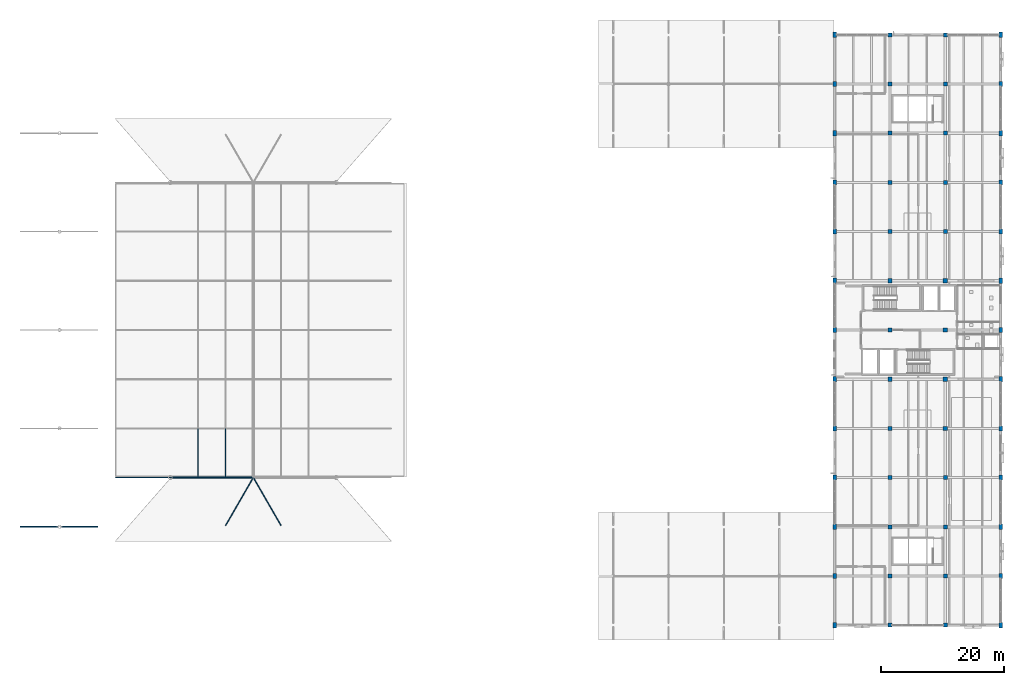
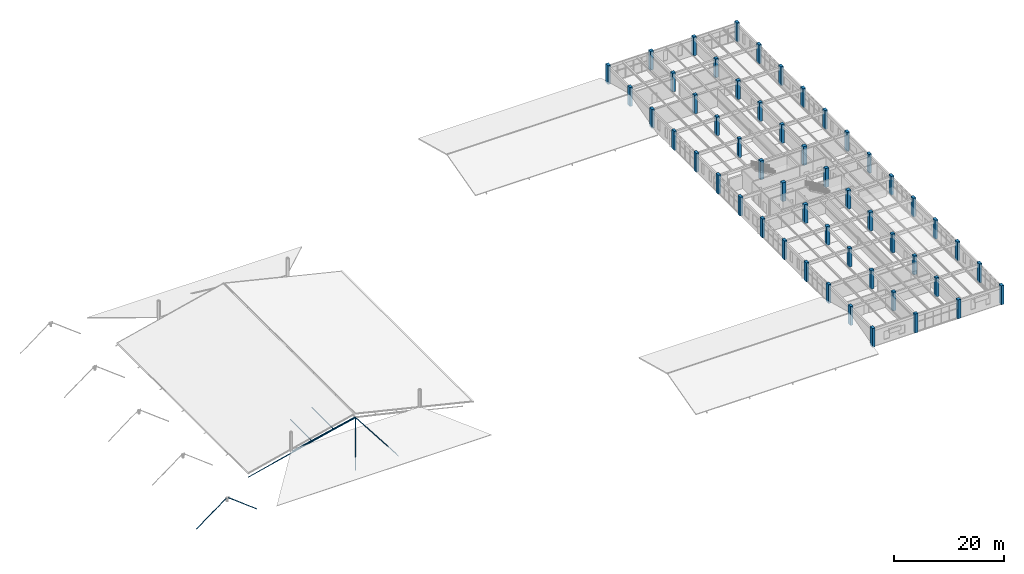
# One storey, part 6 of 71: 52 columns, 8 members.
"""IFC4 building model written with IfcOpenShell, lengths in metres."""

from ifc_helpers import new_model, si_unit, derived_unit, direction, frame, origin, origin_2d, place, context, subcontext, project, spatial, rectangle, hollow_circle, extrude, material, material_profile, profile_set, type_object, element, save


model = new_model("IFC4")

# Units and contexts
model_context = context("Model", 3, precision=1e-05, world=origin(), true_north=direction((0.0, 1.0)))
body_context = subcontext(model_context, "Body", "Model", "MODEL_VIEW")
ifc_project = project(units=[si_unit("LENGTHUNIT", "METRE"), si_unit("AREAUNIT", "SQUARE_METRE"), si_unit("VOLUMEUNIT", "CUBIC_METRE"), si_unit("PLANEANGLEUNIT", "RADIAN"), si_unit("MASSUNIT", "GRAM", prefix="KILO"), derived_unit("THERMALTRANSMITTANCEUNIT", [(si_unit("MASSUNIT", "GRAM", prefix="KILO"), 1), (si_unit("TIMEUNIT", "SECOND"), -3), (si_unit("THERMODYNAMICTEMPERATUREUNIT", "KELVIN"), -1)])], contexts=[model_context])

# Site, building, storey
site_placement = place(None, origin())
site = spatial("IfcSite", under=ifc_project, at=site_placement, CompositionType="ELEMENT")
building_placement = place(site_placement, origin())
building = spatial("IfcBuilding", under=site, at=building_placement, Name="Zhenchuan Archway Interchange", CompositionType="ELEMENT")
storey_placement = place(building_placement, frame((0.0, 0.0, 18.60009765625)))
storey = spatial("IfcBuildingStorey", under=building, at=storey_placement, Name="L04", CompositionType="ELEMENT", Elevation=18.60009765625)

# Columns
ifc_material_1 = material(Name="Concrete C40", Category="concrete")
ifc_material_profile_1 = material_profile(ifc_material_1, rectangle(XDim=0.550048828125, YDim=0.85009765625, at=origin_2d()), Name="RC 550x850")
ifc_profile_set_1 = profile_set([ifc_material_profile_1], Name="Concrete C40")
column_type_1 = type_object("IfcColumnType", Name="COL_RC_550x850", PredefinedType="COLUMN", material=ifc_profile_set_1)
for number, where, z_axis, x_axis, name in (
    (1, (144.0, 8.0, 0.0), (0.0, 0.0, 1.0), (1.0, 0.0, 0.0), "Column 17/B (L04)"),
    (2, (144.0, 16.0, 0.0), (0.0, 0.0, 1.0), (1.0, 0.0, 0.0), "Column 17/C (L04)"),
    (3, (144.0, 24.0, 0.0), (0.0, 0.0, 1.0), (1.0, 0.0, 0.0), "Column 17/D (L04)"),
    (4, (144.0, 32.0, 0.0), (0.0, 0.0, 1.0), (1.0, 0.0, 0.0), "Column 17/E (L04)"),
    (5, (144.0, 40.0, 0.0), (0.0, 0.0, 1.0), (1.0, 0.0, 0.0), "Column 17/F (L04)"),
    (6, (144.0, 48.0, 0.0), (0.0, 0.0, 1.0), (1.0, 0.0, 0.0), "Column 17/G (L04)"),
    (7, (144.0, 56.0, 0.0), (0.0, 0.0, 1.0), (1.0, 0.0, 0.0), "Column 17/H (L04)"),
    (8, (144.0, 64.0, 0.0), (0.0, 0.0, 1.0), (1.0, 0.0, 0.0), "Column 17/J (L04)"),
    (9, (144.0, 72.0, 0.0), (0.0, 0.0, 1.0), (1.0, 0.0, 0.0), "Column 17/K (L04)"),
    (10, (144.0, 80.0, 0.0), (0.0, 0.0, 1.0), (1.0, 0.0, 0.0), "Column 17/L (L04)"),
    (11, (144.0, 88.0, 0.0), (0.0, 0.0, 1.0), (1.0, 0.0, 0.0), "Column 17/M (L04)"),
    (12, (144.0, 96.0, 0.0), (0.0, 0.0, 1.0), (1.0, 0.0, 0.0), "Column 17/N (L04)"),
    (13, (144.0, 104.0, 0.0), (0.0, 0.0, 1.0), (1.0, 0.0, 0.0), "Column 17/O (L04)"),
    (14, (171.0, 8.0, 0.0), (0.0, 0.0, 1.0), (1.0, 0.0, 0.0), "Column 20/B (L04)"),
    (15, (171.0, 16.0, 0.0), (0.0, 0.0, 1.0), (1.0, 0.0, 0.0), "Column 20/C (L04)"),
    (16, (171.0, 24.0, 0.0), (0.0, 0.0, 1.0), (1.0, 0.0, 0.0), "Column 20/D (L04)"),
    (17, (171.0, 32.0, 0.0), (0.0, 0.0, 1.0), (1.0, 0.0, 0.0), "Column 20/E (L04)"),
    (18, (171.0, 40.0, 0.0), (0.0, 0.0, 1.0), (1.0, 0.0, 0.0), "Column 20/F (L04)"),
    (19, (171.0, 48.0, 0.0), (0.0, 0.0, 1.0), (1.0, 0.0, 0.0), "Column 20/G (L04)"),
    (20, (171.0, 56.0, 0.0), (0.0, 0.0, 1.0), (1.0, 0.0, 0.0), "Column 20/H (L04)"),
    (21, (171.0, 64.0, 0.0), (0.0, 0.0, 1.0), (1.0, 0.0, 0.0), "Column 20/J (L04)"),
    (22, (171.0, 72.0, 0.0), (0.0, 0.0, 1.0), (1.0, 0.0, 0.0), "Column 20/K (L04)"),
    (23, (171.0, 80.0, 0.0), (0.0, 0.0, 1.0), (1.0, 0.0, 0.0), "Column 20/L (L04)"),
    (24, (171.0, 88.0, 0.0), (0.0, 0.0, 1.0), (1.0, 0.0, 0.0), "Column 20/M (L04)"),
    (25, (171.0, 96.0, 0.0), (0.0, 0.0, 1.0), (1.0, 0.0, 0.0), "Column 20/N (L04)"),
    (26, (171.0, 104.0, 0.0), (0.0, 0.0, 1.0), (1.0, 0.0, 0.0), "Column 20/O (L04)"),
):
    element("IfcColumn", number, at=place(storey_placement, frame(where, z_axis=z_axis, x_axis=x_axis)), inside=storey, type_object=column_type_1, Name=name, PredefinedType="COLUMN", context=body_context, shape_type="SweptSolid", body=[
        extrude(rectangle(XDim=0.550048828125, YDim=0.85009765625, at=origin_2d()), origin(), (0.0, 0.0, 1.0), 4.199951171875),
    ])
ifc_material_profile_2 = material_profile(ifc_material_1, rectangle(XDim=0.64990234375, YDim=0.64990234375, at=origin_2d()), Name="RC 650x650")
ifc_profile_set_2 = profile_set([ifc_material_profile_2], Name="Concrete C40")
column_type_2 = type_object("IfcColumnType", Name="COL_RC_650_T", PredefinedType="COLUMN", material=ifc_profile_set_2)
for number, where, z_axis, x_axis, name in (
    (27, (153.0, 8.0, 0.0), (0.0, 0.0, 1.0), (1.0, 0.0, 0.0), "Column 18/B (L04)"),
    (28, (153.0, 16.0, 0.0), (0.0, 0.0, 1.0), (1.0, 0.0, 0.0), "Column 18/C (L04)"),
    (29, (153.0, 24.0, 0.0), (0.0, 0.0, 1.0), (1.0, 0.0, 0.0), "Column 18/D (L04)"),
    (30, (153.0, 32.0, 0.0), (0.0, 0.0, 1.0), (1.0, 0.0, 0.0), "Column 18/E (L04)"),
    (31, (153.0, 72.0, 0.0), (0.0, 0.0, 1.0), (1.0, 0.0, 0.0), "Column 18/K (L04)"),
    (32, (153.0, 80.0, 0.0), (0.0, 0.0, 1.0), (1.0, 0.0, 0.0), "Column 18/L (L04)"),
    (33, (153.0, 88.0, 0.0), (0.0, 0.0, 1.0), (1.0, 0.0, 0.0), "Column 18/M (L04)"),
    (34, (153.0, 96.0, 0.0), (0.0, 0.0, 1.0), (1.0, 0.0, 0.0), "Column 18/N (L04)"),
    (35, (153.0, 104.0, 0.0), (0.0, 0.0, 1.0), (1.0, 0.0, 0.0), "Column 18/O (L04)"),
    (36, (162.0, 8.0, 0.0), (0.0, 0.0, 1.0), (1.0, 0.0, 0.0), "Column 19/B (L04)"),
    (37, (162.0, 16.0, 0.0), (0.0, 0.0, 1.0), (1.0, 0.0, 0.0), "Column 19/C (L04)"),
    (38, (162.0, 24.0, 0.0), (0.0, 0.0, 1.0), (1.0, 0.0, 0.0), "Column 19/D (L04)"),
    (39, (162.0, 32.0, 0.0), (0.0, 0.0, 1.0), (1.0, 0.0, 0.0), "Column 19/E (L04)"),
    (40, (162.0, 72.0, 0.0), (0.0, 0.0, 1.0), (1.0, 0.0, 0.0), "Column 19/K (L04)"),
    (41, (162.0, 80.0, 0.0), (0.0, 0.0, 1.0), (1.0, 0.0, 0.0), "Column 19/L (L04)"),
    (42, (162.0, 88.0, 0.0), (0.0, 0.0, 1.0), (1.0, 0.0, 0.0), "Column 19/M (L04)"),
    (43, (162.0, 96.0, 0.0), (0.0, 0.0, 1.0), (1.0, 0.0, 0.0), "Column 19/N (L04)"),
    (44, (162.0, 104.0, 0.0), (0.0, 0.0, 1.0), (1.0, 0.0, 0.0), "Column 19/O (L04)"),
):
    element("IfcColumn", number, at=place(storey_placement, frame(where, z_axis=z_axis, x_axis=x_axis)), inside=storey, type_object=column_type_2, Name=name, PredefinedType="COLUMN", context=body_context, shape_type="SweptSolid", body=[
        extrude(rectangle(XDim=0.64990234375, YDim=0.64990234375, at=origin_2d()), origin(), (0.0, 0.0, 1.0), 4.199951171875),
    ])
ifc_material_profile_3 = material_profile(ifc_material_1, rectangle(XDim=0.699951171875, YDim=0.699951171875, at=origin_2d()), Name="RC 700x700")
ifc_profile_set_3 = profile_set([ifc_material_profile_3], Name="Concrete C40")
column_type_3 = type_object("IfcColumnType", Name="COL_RC_700_T", PredefinedType="COLUMN", material=ifc_profile_set_3)
for number, where, z_axis, x_axis, name in (
    (45, (153.0, 40.0, 0.0), (0.0, 0.0, 1.0), (1.0, 0.0, 0.0), "Column 18/F (L04)"),
    (46, (153.0, 48.0, 0.0), (0.0, 0.0, 1.0), (1.0, 0.0, 0.0), "Column 18/G (L04)"),
    (47, (153.0, 56.0, 0.0), (0.0, 0.0, 1.0), (1.0, 0.0, 0.0), "Column 18/H (L04)"),
    (48, (153.0, 64.0, 0.0), (0.0, 0.0, 1.0), (1.0, 0.0, 0.0), "Column 18/J (L04)"),
    (49, (162.0, 40.0, 0.0), (0.0, 0.0, 1.0), (1.0, 0.0, 0.0), "Column 19/F (L04)"),
    (50, (162.0, 48.0, 0.0), (0.0, 0.0, 1.0), (1.0, 0.0, 0.0), "Column 19/G (L04)"),
    (51, (162.0, 56.0, 0.0), (0.0, 0.0, 1.0), (1.0, 0.0, 0.0), "Column 19/H (L04)"),
    (52, (162.0, 64.0, 0.0), (0.0, 0.0, 1.0), (1.0, 0.0, 0.0), "Column 19/J (L04)"),
):
    element("IfcColumn", number, at=place(storey_placement, frame(where, z_axis=z_axis, x_axis=x_axis)), inside=storey, type_object=column_type_3, Name=name, PredefinedType="COLUMN", context=body_context, shape_type="SweptSolid", body=[
        extrude(rectangle(XDim=0.699951171875, YDim=0.699951171875, at=origin_2d()), origin(), (0.0, 0.0, 1.0), 4.199951171875),
    ])

# Members
ifc_material_2 = material(Name="Steel Q390", Category="steel")
ifc_material_profile_4 = material_profile(ifc_material_2, hollow_circle(Radius=0.056884765625, WallThickness=0.006103515625, at=origin_2d()), Name="CHS 114x6")
ifc_profile_set_4 = profile_set([ifc_material_profile_4], Name="Steel Q390")
member_type_1 = type_object("IfcMemberType", Name="MB_CBL_CHS114", PredefinedType="USERDEFINED", material=ifc_profile_set_4)
member_1_placement = place(storey_placement, frame((27.050048828125, 32.0, -2.650146484375), z_axis=(0.972148755208, 0.0, 0.234364668299), x_axis=(0.0, 1.0, 0.0)))
element("IfcMember", 53, at=member_1_placement, inside=storey, type_object=member_type_1, Name="CONCOURSE ROOF CABLE west radial strand 1", ObjectType="CABLE", PredefinedType="USERDEFINED", context=body_context, shape_type="SweptSolid", body=[
    extrude(hollow_circle(Radius=0.056884765625, WallThickness=0.006103515625, at=origin_2d()), origin(), (0.0, 0.0, 1.0), 23.041748046875),
])
for number, where, z_axis, x_axis, name in (
    (54, (49.5, 32.0, 2.719970703125), (-0.430724259958, -0.74180289215, -0.514008833661), (0.86478894661, -0.502135517387, 0.0), "CONCOURSE ROOF CABLE hip anchor strand SM1"),
    (55, (49.5, 32.0, 2.719970703125), (0.430724259958, -0.74180289215, -0.514008833661), (0.86478894661, 0.502135517387, 0.0), "CONCOURSE ROOF CABLE hip anchor strand SM2"),
):
    element("IfcMember", number, at=place(storey_placement, frame(where, z_axis=z_axis, x_axis=x_axis)), inside=storey, type_object=member_type_1, Name=name, ObjectType="CABLE", PredefinedType="USERDEFINED", context=body_context, shape_type="SweptSolid", body=[
        extrude(hollow_circle(Radius=0.056884765625, WallThickness=0.006103515625, at=origin_2d()), origin(), (0.0, 0.0, 1.0), 10.447509765625),
    ])
member_2_placement = place(storey_placement, frame((17.75, 24.0, 0.75), z_axis=(-0.800769910418, 0.0, -0.598972078289), x_axis=(0.0, -1.0, 0.0)))
element("IfcMember", 56, at=member_2_placement, inside=storey, type_object=member_type_1, Name="BUS CANOPY STAY CABLE west BM1", ObjectType="CABLE", PredefinedType="USERDEFINED", context=body_context, shape_type="SweptSolid", body=[
    extrude(hollow_circle(Radius=0.056884765625, WallThickness=0.006103515625, at=origin_2d()), origin(), (0.0, 0.0, 1.0), 7.679931640625),
])
member_3_placement = place(storey_placement, frame((18.25, 24.0, 0.75), z_axis=(0.793062909008, 0.0, -0.609139739597), x_axis=(0.0, 1.0, 0.0)))
element("IfcMember", 57, at=member_3_placement, inside=storey, type_object=member_type_1, Name="BUS CANOPY STAY CABLE east BM1", ObjectType="CABLE", PredefinedType="USERDEFINED", context=body_context, shape_type="SweptSolid", body=[
    extrude(hollow_circle(Radius=0.056884765625, WallThickness=0.006103515625, at=origin_2d()), origin(), (0.0, 0.0, 1.0), 7.50244140625),
])
ifc_material_profile_5 = material_profile(ifc_material_2, hollow_circle(Radius=0.04443359375, WallThickness=0.006103515625, at=origin_2d()), Name="CHS 89x6")
ifc_profile_set_5 = profile_set([ifc_material_profile_5], Name="Steel Q390")
member_type_2 = type_object("IfcMemberType", Name="MB_CBL_CHS89", PredefinedType="USERDEFINED", material=ifc_profile_set_5)
for number, where, z_axis, x_axis, name in (
    (58, (40.5, 32.02001953125, 0.559814453125), (0.0, 1.0, 0.0), (-1.0, 0.0, 0.0), "CONCOURSE ROOF CABLE longitudinal net strand 1-2"),
    (59, (45.0, 32.02001953125, 1.639892578125), (0.0, 1.0, 0.0), (-1.0, 0.0, 0.0), "CONCOURSE ROOF CABLE longitudinal net strand 1-3"),
):
    element("IfcMember", number, at=place(storey_placement, frame(where, z_axis=z_axis, x_axis=x_axis)), inside=storey, type_object=member_type_2, Name=name, ObjectType="CABLE", PredefinedType="USERDEFINED", context=body_context, shape_type="SweptSolid", body=[
        extrude(hollow_circle(Radius=0.04443359375, WallThickness=0.006103515625, at=origin_2d()), origin(), (0.0, 0.0, 1.0), 7.9599609375),
    ])
ifc_material_3 = material(Name="Steel Q355", Category="steel")
ifc_material_profile_6 = material_profile(ifc_material_3, hollow_circle(Radius=0.177978515625, WallThickness=0.011962890625, at=origin_2d()), Name="CHS 356x12")
ifc_profile_set_6 = profile_set([ifc_material_profile_6], Name="Steel Q355")
member_type_3 = type_object("IfcMemberType", Name="MB_CHS356", PredefinedType="CHORD", material=ifc_profile_set_6)
member_4_placement = place(storey_placement, frame((36.320068359375, 32.0, -0.18017578125), z_axis=(0.975991093765, 0.0, 0.217810433384), x_axis=(0.0, 1.0, 0.0)))
element("IfcMember", 60, at=member_4_placement, inside=storey, type_object=member_type_3, Name="CONCOURSE CABLE-NET RING BEAM transverse rafter SW", PredefinedType="CHORD", context=body_context, shape_type="SweptSolid", body=[
    extrude(hollow_circle(Radius=0.177978515625, WallThickness=0.011962890625, at=origin_2d()), origin(), (0.0, 0.0, 1.0), 13.452880859375),
])

save(model, "model.ifc")
